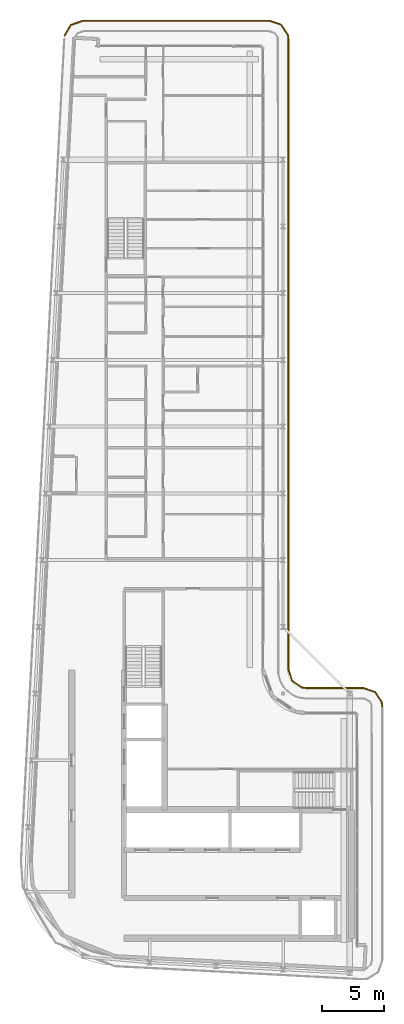
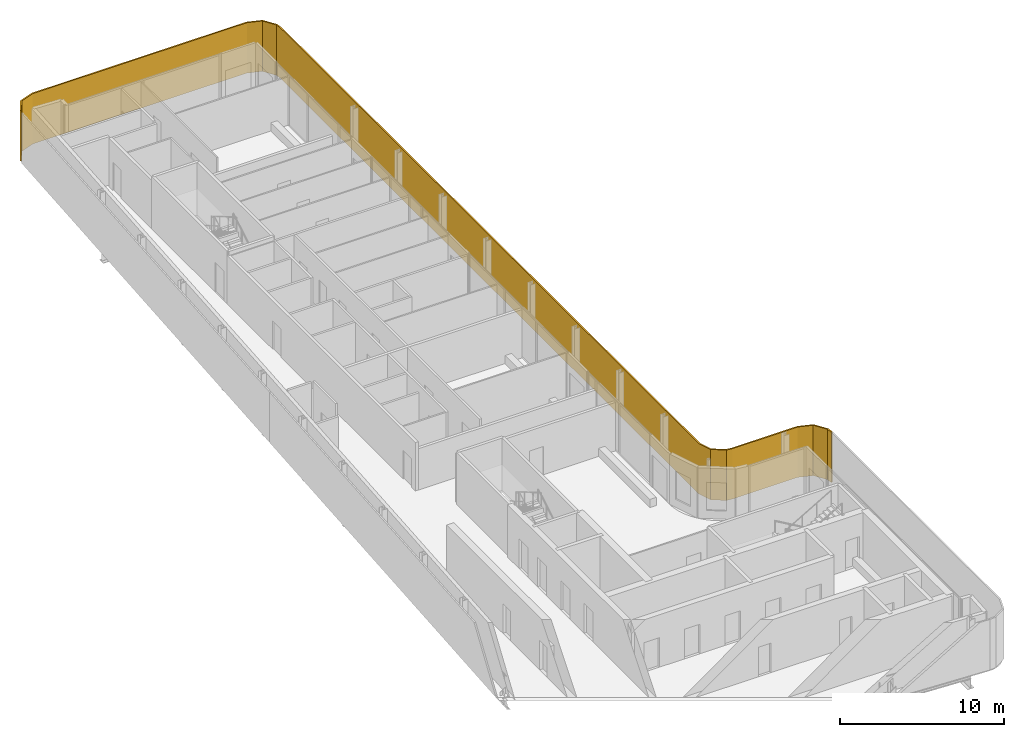
# One storey, part 17 of 18: 1 shading device.
"""IFC4 building model written with IfcOpenShell, lengths in metres."""

import ifcopenshell
import ifcopenshell.guid

model = None  # the IFC model being written
_history = None  # IfcOwnerHistory: only IFC2X3 demands one
_inside = {}  # id of a spatial element -> (the spatial element, [elements in it])
_under = {}  # id of a project, library or spatial element -> (it, [spatial elements below it])
_declared = {}  # id of a project -> (the project, [libraries it declares])
_typed = {}  # id of a type object -> (the type object, [elements of that type])
_made_of = {}  # id of a material, layer set ... -> (it, [elements and type objects made of it])


def new_model(schema):
    """Start an empty IFC model of exactly this schema.

    Asked for "IFC4X3", IfcOpenShell would pick the latest addendum, in which some entities
    have other attributes; the version numbers below select the first issue.
    IFC2X3 requires an IfcOwnerHistory on every rooted entity: one is made here for all.
    """
    global model, _history
    if schema == "IFC4X3":
        model = ifcopenshell.file(schema_version=(4, 3, 0, 0))
    else:
        model = ifcopenshell.file(schema=schema)
    _inside.clear()
    _under.clear()
    _declared.clear()
    _typed.clear()
    _made_of.clear()
    _history = None
    if model.schema == "IFC2X3":
        org = make("IfcOrganization", Name="unknown")
        user = make(
            "IfcPersonAndOrganization",
            ThePerson=make("IfcPerson", FamilyName="unknown"),
            TheOrganization=org,
        )
        app = make(
            "IfcApplication",
            ApplicationDeveloper=org,
            Version="unknown",
            ApplicationFullName="unknown",
            ApplicationIdentifier="unknown",
        )
        _history = make(
            "IfcOwnerHistory",
            OwningUser=user,
            OwningApplication=app,
            ChangeAction="ADDED",
            CreationDate=0,
        )
    return model


def make(cls, **values):
    """One entity of the class cls with the attributes given. An attribute that is None is left unset."""
    return model.create_entity(
        cls, **{name: value for name, value in values.items() if value is not None}
    )


def rooted(cls, **values):
    """An entity with a GlobalId (a new one), such as an element, a storey or a relation."""
    return make(cls, GlobalId=ifcopenshell.guid.new(), OwnerHistory=_history, **values)


def si_unit(unit_type, name, prefix=None):
    """IfcSIUnit, for example si_unit("LENGTHUNIT", "METRE", prefix="MILLI")."""
    return make("IfcSIUnit", UnitType=unit_type, Prefix=prefix, Name=name)


def assignment(units):
    """IfcUnitAssignment: the units of a project."""
    return None if units is None else make("IfcUnitAssignment", Units=units)


def point(xyz):
    """IfcCartesianPoint."""
    return None if xyz is None else make("IfcCartesianPoint", Coordinates=xyz)


def direction(xyz):
    """IfcDirection."""
    return None if xyz is None else make("IfcDirection", DirectionRatios=xyz)


def frame(location, z_axis=None, x_axis=None):
    """IfcAxis2Placement3D, a coordinate frame: its origin and axes. An axis left out is left unset."""
    return make(
        "IfcAxis2Placement3D",
        Location=point(location),
        Axis=direction(z_axis),
        RefDirection=direction(x_axis),
    )


def origin():
    """The frame at (0, 0, 0) with its axes left unset."""
    return frame((0.0, 0.0, 0.0))


def place(relative_to, where):
    """IfcLocalPlacement: puts the frame where relative to a parent placement (None: the world)."""
    return make(
        "IfcLocalPlacement", PlacementRelTo=relative_to, RelativePlacement=where
    )


def context(
    kind, dimensions, precision=None, world=None, true_north=None, identifier=None
):
    """IfcGeometricRepresentationContext, for example the 3D "Model" context."""
    return make(
        "IfcGeometricRepresentationContext",
        ContextIdentifier=identifier,
        ContextType=kind,
        CoordinateSpaceDimension=dimensions,
        Precision=precision,
        WorldCoordinateSystem=world,
        TrueNorth=true_north,
    )


def subcontext(parent, identifier, kind, view, scale=None):
    """IfcGeometricRepresentationSubContext, for example "Body" below "Model"."""
    return make(
        "IfcGeometricRepresentationSubContext",
        ContextIdentifier=identifier,
        ContextType=kind,
        ParentContext=parent,
        TargetScale=scale,
        TargetView=view,
    )


def project(units=None, contexts=None):
    """IfcProject with its units and contexts."""
    return rooted(
        "IfcProject",
        Name="project",
        RepresentationContexts=contexts,
        UnitsInContext=assignment(units),
    )


def spatial(cls, under=None, at=None, **own):
    """A site, building, storey or space (cls), placed at a placement, below another one or the project."""
    s = rooted(cls, ObjectPlacement=at, **own)
    if under is not None:
        _under.setdefault(under.id(), (under, []))[1].append(s)
    return s


def polyline(points):
    """IfcPolyline through the points."""
    return make("IfcPolyline", Points=[point(p) for p in points])


def outline(outer, holes=None, kind="AREA"):
    """IfcArbitraryClosedProfileDef: a profile drawn as a closed curve; with holes, ...WithVoids."""
    if holes is None:
        return make("IfcArbitraryClosedProfileDef", ProfileType=kind, OuterCurve=outer)
    return make(
        "IfcArbitraryProfileDefWithVoids",
        ProfileType=kind,
        OuterCurve=outer,
        InnerCurves=holes,
    )


def extrude(swept, where, along, depth):
    """IfcExtrudedAreaSolid: the profile swept, set in the frame where, extruded along a direction by depth."""
    return make(
        "IfcExtrudedAreaSolid",
        SweptArea=swept,
        Position=where,
        ExtrudedDirection=direction(along),
        Depth=depth,
    )


def shape(context_of_items, identifier, shape_type, items):
    """IfcShapeRepresentation: the items that make up one representation, for example the "Body"."""
    return make(
        "IfcShapeRepresentation",
        ContextOfItems=context_of_items,
        RepresentationIdentifier=identifier,
        RepresentationType=shape_type,
        Items=items,
    )


def material(Name=None, Category=None):
    """IfcMaterial."""
    return make("IfcMaterial", Name=Name, Category=Category)


def layer(
    of_material, thickness, ventilated=None, Name=None, Category=None, Priority=None
):
    """IfcMaterialLayer: one layer of a wall or slab, of a material (None: an air gap)."""
    return make(
        "IfcMaterialLayer",
        Material=of_material,
        LayerThickness=thickness,
        IsVentilated=ventilated,
        Name=Name,
        Category=Category,
        Priority=Priority,
    )


def layer_set(layers, Name=None):
    """IfcMaterialLayerSet."""
    return make("IfcMaterialLayerSet", MaterialLayers=layers, LayerSetName=Name)


def made_of(thing, what):
    """Note that an element or type object is made of a material, layer set ...; save() writes the relation."""
    if what is not None:
        _made_of.setdefault(what.id(), (what, []))[1].append(thing)
    return thing


def type_object(cls, material=None, **own):
    """A type object (cls), such as IfcWallType, which elements share."""
    return made_of(rooted(cls, **own), material)


def element(
    cls,
    number,
    at=None,
    inside=None,
    cuts=None,
    type_object=None,
    material=None,
    context=None,
    identifier="Body",
    shape_type=None,
    held_by="IfcProductDefinitionShape",
    body=None,
    shapes=None,
    **own,
):
    """One element of the class cls, such as IfcWall. Its Tag is "e" and its number.

    at: its placement. inside: the storey or other place that contains it. cuts: it is an
    opening in that element (IfcRelVoidsElement). A single representation is given by context,
    identifier, shape_type and body (its items); several are given by shapes. held_by: the class
    of the entity that holds the representations. save() writes the other relations.
    """
    e = rooted(cls, Tag="e%d" % number, ObjectPlacement=at, **own)
    if body is not None:
        shapes = [shape(context, identifier, shape_type, body)]
    if shapes is not None:
        e.Representation = make(held_by, Representations=shapes)
    if inside is not None:
        _inside.setdefault(inside.id(), (inside, []))[1].append(e)
    if cuts is not None:
        rooted(
            "IfcRelVoidsElement", RelatingBuildingElement=cuts, RelatedOpeningElement=e
        )
    if type_object is not None:
        _typed.setdefault(type_object.id(), (type_object, []))[1].append(e)
    return made_of(e, material)


def aggregate(whole, parts):
    """IfcRelAggregates: a whole, such as a stair, and the parts it consists of."""
    return rooted("IfcRelAggregates", RelatingObject=whole, RelatedObjects=parts)


def save(model, path):
    """Write the relations noted so far, then the file.

    IfcRelAggregates (storeys below a building ...), IfcRelContainedInSpatialStructure (elements
    in a storey), IfcRelDefinesByType, IfcRelAssociatesMaterial and IfcRelDeclares: one each for
    every whole, place, type object, material and project.
    """
    for whole, parts in _under.values():
        aggregate(whole, parts)
    for where, things in _inside.values():
        rooted(
            "IfcRelContainedInSpatialStructure",
            RelatedElements=things,
            RelatingStructure=where,
        )
    for kind, things in _typed.values():
        rooted("IfcRelDefinesByType", RelatedObjects=things, RelatingType=kind)
    for what, things in _made_of.values():
        rooted("IfcRelAssociatesMaterial", RelatedObjects=things, RelatingMaterial=what)
    for by, libraries in _declared.values():
        rooted("IfcRelDeclares", RelatingContext=by, RelatedDefinitions=libraries)
    model.write(path)


model = new_model("IFC4")

# Units and contexts
model_context = context("Model", 3, precision=1e-05, world=origin(), true_north=direction((0.0, 1.0)))
body_context = subcontext(model_context, "Body", "Model", "MODEL_VIEW")
ifc_project = project(units=[si_unit("LENGTHUNIT", "METRE"), si_unit("AREAUNIT", "SQUARE_METRE"), si_unit("VOLUMEUNIT", "CUBIC_METRE"), si_unit("PLANEANGLEUNIT", "RADIAN"), si_unit("MASSUNIT", "GRAM", prefix="KILO")], contexts=[model_context])

# Site, building, storey
site_placement = place(None, origin())
site = spatial("IfcSite", under=ifc_project, at=site_placement, CompositionType="ELEMENT")
building_placement = place(site_placement, origin())
building = spatial("IfcBuilding", under=site, at=building_placement, Name="Kheshtan School and Residences Tower", CompositionType="ELEMENT")
storey_placement = place(building_placement, frame((0.0, 0.0, 365.60009765625)))
storey = spatial("IfcBuildingStorey", under=building, at=storey_placement, Name="L86", CompositionType="ELEMENT", Elevation=365.60009765625)

# Shading device
ifc_material = material(Name="Terracotta lattice, extruded ceramic", Category="masonry")
ifc_layer = layer(ifc_material, 0.10009765625)
ifc_layer_set = layer_set([ifc_layer], Name="Loggia screen, terracotta lattice")
shading_device_type = type_object("IfcShadingDeviceType", Name="Loggia screen, terracotta lattice", PredefinedType="USERDEFINED", material=ifc_layer_set)
shading_device_placement = place(storey_placement, origin())
element("IfcShadingDevice", 1, at=shading_device_placement, inside=storey, type_object=shading_device_type, Name="Screen L86 1", ObjectType="SCREEN", PredefinedType="USERDEFINED", context=body_context, shape_type="SweptSolid", body=[
    extrude(outline(polyline([(29.949951171875, 98.783935546875), (30.468017578125, 99.656982421875), (31.423095703125, 100.0), (46.5, 100.0), (47.4130859375, 99.68994140625), (47.948974609375, 98.887939453125), (48.0, 98.5), (48.0, 47.5), (48.31005859375, 46.5869140625), (49.112060546875, 46.051025390625), (49.5, 46.0), (54.10009765625, 46.0), (55.012939453125, 45.68994140625), (55.549072265625, 44.887939453125), (55.60009765625, 44.5), (55.698974609375, 44.512939453125), (55.64501953125, 44.924072265625), (55.076904296875, 45.77392578125), (54.116943359375, 46.10009765625), (49.507080078125, 46.10009765625), (49.14794921875, 46.14697265625), (48.39404296875, 46.65087890625), (48.10009765625, 47.51708984375), (48.10009765625, 98.507080078125), (48.044921875, 98.924072265625), (47.47705078125, 99.77392578125), (46.51708984375, 100.10009765625), (31.406005859375, 100.10009765625), (30.39990234375, 99.739013671875), (29.864013671875, 98.8349609375), (29.949951171875, 98.783935546875)])), origin(), (0.0, 0.0, 1.0), 3.75),
])

save(model, "model.ifc")
